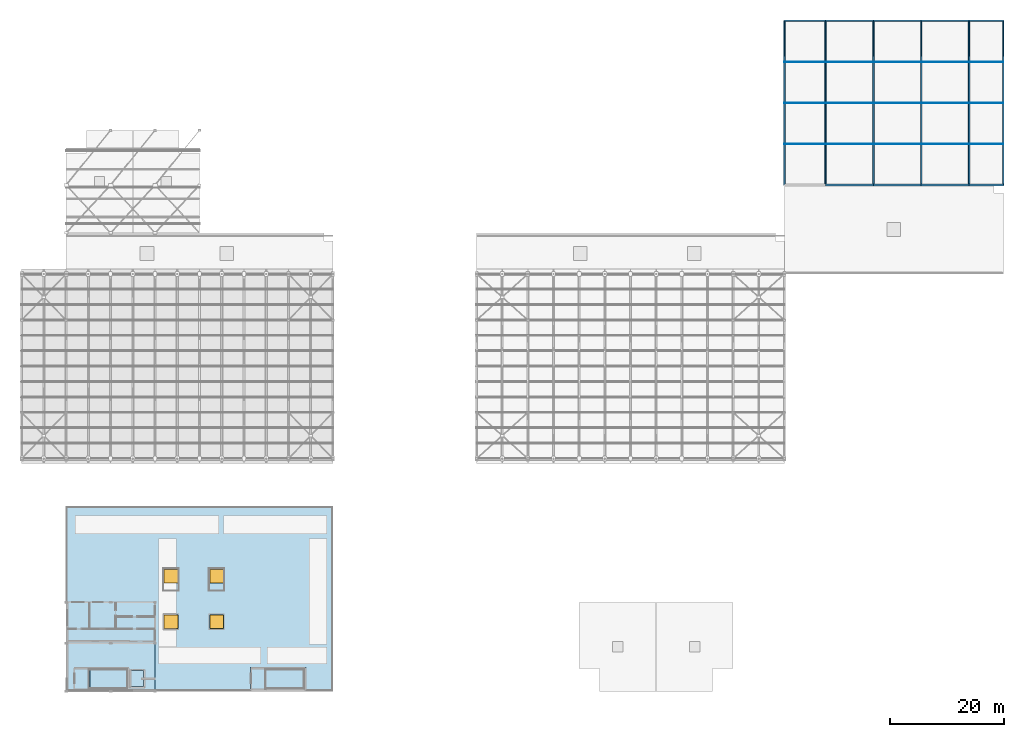
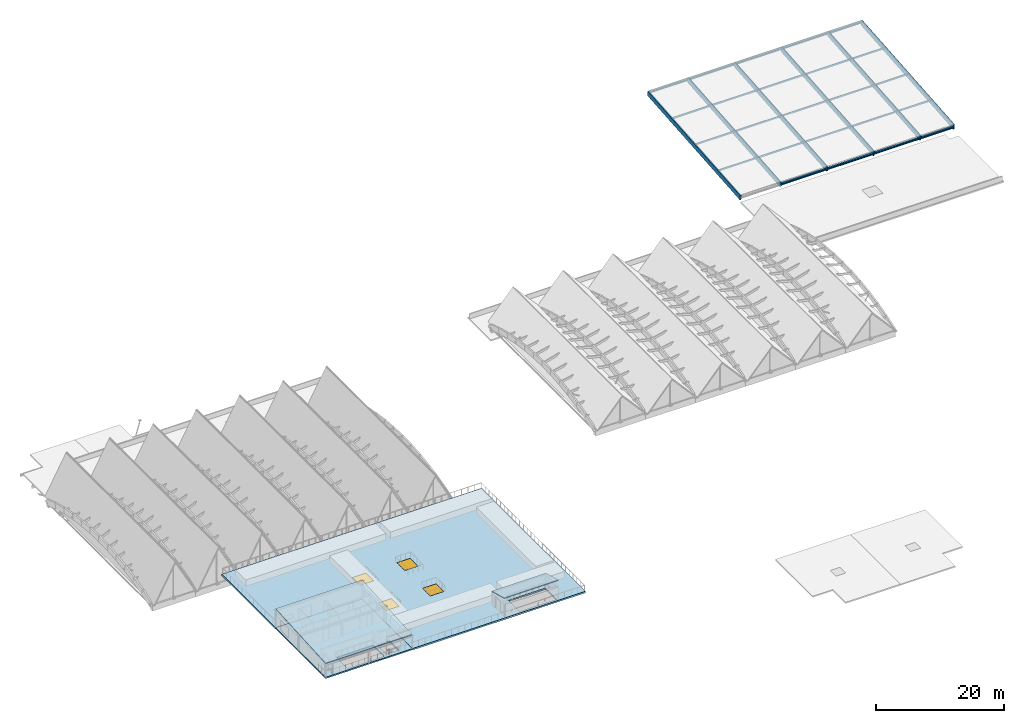
# One storey, part 28 of 39: 21 members, 9 beams, 4 slabs, 4 windows, 4 openings.
"""IFC4 building model written with IfcOpenShell, lengths in metres."""

from ifc_helpers import new_model, si_unit, direction, frame, origin, origin_2d, place, context, subcontext, project, spatial, polyline, rectangle, i_section, outline, extrude, material, layer, layer_set, material_profile, profile_set, type_object, element, fill, save


model = new_model("IFC4")

# Units and contexts
model_context = context("Model", 3, precision=1e-05, world=origin(), true_north=direction((0.0, 1.0)))
body_context = subcontext(model_context, "Body", "Model", "MODEL_VIEW")
ifc_project = project(units=[si_unit("LENGTHUNIT", "METRE"), si_unit("AREAUNIT", "SQUARE_METRE"), si_unit("VOLUMEUNIT", "CUBIC_METRE"), si_unit("PLANEANGLEUNIT", "RADIAN"), si_unit("MASSUNIT", "GRAM", prefix="KILO")], contexts=[model_context])

# Site, building, storey
site_placement = place(None, origin())
site = spatial("IfcSite", under=ifc_project, at=site_placement, CompositionType="ELEMENT")
building_placement = place(site_placement, origin())
building = spatial("IfcBuilding", under=site, at=building_placement, Name="Tizgana Railside Sports Hall", CompositionType="ELEMENT")
storey_placement = place(building_placement, frame((0.0, 0.0, 23.699951171875)))
storey = spatial("IfcBuildingStorey", under=building, at=storey_placement, Name="RF", CompositionType="ELEMENT", Elevation=23.699951171875)

# Members
ifc_material_1 = material(Name="Glulam GL32h", Category="wood")
ifc_material_profile_1 = material_profile(ifc_material_1, rectangle(XDim=0.239990234375, YDim=0.89990234375, at=origin_2d()), Name="GL 240x900")
ifc_profile_set_1 = profile_set([ifc_material_profile_1], Name="Glulam GL32h")
member_type_1 = type_object("IfcMemberType", Name="Glulam Arch Segment GL 240x900", PredefinedType="USERDEFINED", material=ifc_profile_set_1)
for number, where, z_axis, x_axis, name in (
    (1, (133.800048828125, 88.800048828125, -6.64990234375), (0.0, 0.996546049543, 0.083041984207), (-1.0, 0.0, 0.0), "RF V3 Climbing Rib MEM-0736"),
    (2, (141.0, 88.800048828125, -6.64990234375), (0.0, 0.996546049543, 0.083041984207), (-1.0, 0.0, 0.0), "RF V3 Climbing Rib MEM-0737"),
    (3, (149.39990234375, 88.800048828125, -6.64990234375), (0.0, 0.996546049543, 0.083041984207), (-1.0, 0.0, 0.0), "RF V3 Climbing Rib MEM-0738"),
    (4, (157.800048828125, 88.800048828125, -6.64990234375), (0.0, 0.996546049543, 0.083041984207), (-1.0, 0.0, 0.0), "RF V3 Climbing Rib MEM-0739"),
    (5, (166.199951171875, 88.800048828125, -6.64990234375), (0.0, 0.996546049543, 0.083041984207), (-1.0, 0.0, 0.0), "RF V3 Climbing Rib MEM-0740"),
    (6, (172.199951171875, 88.800048828125, -6.64990234375), (0.0, 0.996546049543, 0.083041984207), (-1.0, 0.0, 0.0), "RF V3 Climbing Rib MEM-0741"),
):
    element("IfcMember", number, at=place(storey_placement, frame(where, z_axis=z_axis, x_axis=x_axis)), inside=storey, type_object=member_type_1, Name=name, ObjectType="ARCH_SEGMENT", PredefinedType="USERDEFINED", context=body_context, shape_type="SweptSolid", body=[
        extrude(rectangle(XDim=0.239990234375, YDim=0.89990234375, at=origin_2d()), origin(), (0.0, 0.0, 1.0), 28.89990234375),
    ])
ifc_material_2 = material(Name="Glulam GL28h", Category="wood")
ifc_material_profile_2 = material_profile(ifc_material_2, rectangle(XDim=0.139892578125, YDim=0.320068359375, at=origin_2d()), Name="GL 140x320")
ifc_profile_set_2 = profile_set([ifc_material_profile_2], Name="Glulam GL28h")
member_type_2 = type_object("IfcMemberType", Name="Glulam Roof Purlin GL 140x320", PredefinedType="PURLIN", material=ifc_profile_set_2)
for number, where, z_axis, x_axis, name in (
    (7, (133.800048828125, 96.0, -5.89892578125), (1.0, 0.0, 0.0), (0.0, 1.0, 0.0), "RF V3 Purlin MEM-0742"),
    (8, (133.800048828125, 103.199951171875, -5.299072265625), (1.0, 0.0, 0.0), (0.0, 1.0, 0.0), "RF V3 Purlin MEM-0743"),
    (9, (133.800048828125, 110.39990234375, -4.698974609375), (1.0, 0.0, 0.0), (0.0, 1.0, 0.0), "RF V3 Purlin MEM-0744"),
):
    element("IfcMember", number, at=place(storey_placement, frame(where, z_axis=z_axis, x_axis=x_axis)), inside=storey, type_object=member_type_2, Name=name, PredefinedType="PURLIN", context=body_context, shape_type="SweptSolid", body=[
        extrude(rectangle(XDim=0.139892578125, YDim=0.320068359375, at=origin_2d()), origin(), (0.0, 0.0, 1.0), 7.199951171875),
    ])
for number, where, z_axis, x_axis, name in (
    (10, (141.0, 96.0, -5.89892578125), (1.0, 0.0, 0.0), (0.0, 1.0, 0.0), "RF V3 Purlin MEM-0745"),
    (11, (141.0, 103.199951171875, -5.299072265625), (1.0, 0.0, 0.0), (0.0, 1.0, 0.0), "RF V3 Purlin MEM-0746"),
    (12, (141.0, 110.39990234375, -4.698974609375), (1.0, 0.0, 0.0), (0.0, 1.0, 0.0), "RF V3 Purlin MEM-0747"),
):
    element("IfcMember", number, at=place(storey_placement, frame(where, z_axis=z_axis, x_axis=x_axis)), inside=storey, type_object=member_type_2, Name=name, PredefinedType="PURLIN", context=body_context, shape_type="SweptSolid", body=[
        extrude(rectangle(XDim=0.139892578125, YDim=0.320068359375, at=origin_2d()), origin(), (0.0, 0.0, 1.0), 8.39990234375),
    ])
for number, where, z_axis, x_axis, name in (
    (13, (149.39990234375, 96.0, -5.89892578125), (1.0, 0.0, 0.0), (0.0, 1.0, 0.0), "RF V3 Purlin MEM-0748"),
    (14, (149.39990234375, 103.199951171875, -5.299072265625), (1.0, 0.0, 0.0), (0.0, 1.0, 0.0), "RF V3 Purlin MEM-0749"),
    (15, (149.39990234375, 110.39990234375, -4.698974609375), (1.0, 0.0, 0.0), (0.0, 1.0, 0.0), "RF V3 Purlin MEM-0750"),
):
    element("IfcMember", number, at=place(storey_placement, frame(where, z_axis=z_axis, x_axis=x_axis)), inside=storey, type_object=member_type_2, Name=name, PredefinedType="PURLIN", context=body_context, shape_type="SweptSolid", body=[
        extrude(rectangle(XDim=0.139892578125, YDim=0.320068359375, at=origin_2d()), origin(), (0.0, 0.0, 1.0), 8.400146484375),
    ])
for number, where, z_axis, x_axis, name in (
    (16, (157.800048828125, 96.0, -5.89892578125), (1.0, 0.0, 0.0), (0.0, 1.0, 0.0), "RF V3 Purlin MEM-0751"),
    (17, (157.800048828125, 103.199951171875, -5.299072265625), (1.0, 0.0, 0.0), (0.0, 1.0, 0.0), "RF V3 Purlin MEM-0752"),
    (18, (157.800048828125, 110.39990234375, -4.698974609375), (1.0, 0.0, 0.0), (0.0, 1.0, 0.0), "RF V3 Purlin MEM-0753"),
):
    element("IfcMember", number, at=place(storey_placement, frame(where, z_axis=z_axis, x_axis=x_axis)), inside=storey, type_object=member_type_2, Name=name, PredefinedType="PURLIN", context=body_context, shape_type="SweptSolid", body=[
        extrude(rectangle(XDim=0.139892578125, YDim=0.320068359375, at=origin_2d()), origin(), (0.0, 0.0, 1.0), 8.39990234375),
    ])
for number, where, z_axis, x_axis, name in (
    (19, (166.199951171875, 96.0, -5.89892578125), (1.0, 0.0, 0.0), (0.0, 1.0, 0.0), "RF V3 Purlin MEM-0754"),
    (20, (166.199951171875, 103.199951171875, -5.299072265625), (1.0, 0.0, 0.0), (0.0, 1.0, 0.0), "RF V3 Purlin MEM-0755"),
    (21, (166.199951171875, 110.39990234375, -4.698974609375), (1.0, 0.0, 0.0), (0.0, 1.0, 0.0), "RF V3 Purlin MEM-0756"),
):
    element("IfcMember", number, at=place(storey_placement, frame(where, z_axis=z_axis, x_axis=x_axis)), inside=storey, type_object=member_type_2, Name=name, PredefinedType="PURLIN", context=body_context, shape_type="SweptSolid", body=[
        extrude(rectangle(XDim=0.139892578125, YDim=0.320068359375, at=origin_2d()), origin(), (0.0, 0.0, 1.0), 6.0),
    ])

# Beams
ifc_material_3 = material(Name="Steel S355J2", Category="steel")
ifc_material_profile_3 = material_profile(ifc_material_3, i_section(OverallWidth=0.300048828125, OverallDepth=0.320068359375, WebThickness=0.011474609375, FlangeThickness=0.0205078125, FilletRadius=0.027099609375, at=origin_2d()), Name="HEB 320")
ifc_profile_set_3 = profile_set([ifc_material_profile_3], Name="Steel S355J2")
beam_type = type_object("IfcBeamType", Name="Steel Beam HEB 320", PredefinedType="BEAM", material=ifc_profile_set_3)
beam_placement = place(storey_placement, frame((133.800048828125, 117.60009765625, -4.10986328125), z_axis=(1.0, 0.0, 0.0), x_axis=(0.0, 1.0, 0.0)))
element("IfcBeam", 22, at=beam_placement, inside=storey, type_object=beam_type, Name="RF BEM-1236", PredefinedType="BEAM", context=body_context, shape_type="SweptSolid", body=[
    extrude(i_section(OverallWidth=0.300048828125, OverallDepth=0.320068359375, WebThickness=0.011474609375, FlangeThickness=0.0205078125, FilletRadius=0.027099609375, at=origin_2d()), origin(), (0.0, 0.0, 1.0), 7.199951171875),
])
for number, where, z_axis, x_axis, name in (
    (23, (141.0, 88.800048828125, -6.60986328125), (1.0, 0.0, 0.0), (0.0, 1.0, 0.0), "RF BEM-1237"),
    (24, (141.0, 117.60009765625, -4.10986328125), (1.0, 0.0, 0.0), (0.0, 1.0, 0.0), "RF BEM-1238"),
):
    element("IfcBeam", number, at=place(storey_placement, frame(where, z_axis=z_axis, x_axis=x_axis)), inside=storey, type_object=beam_type, Name=name, PredefinedType="BEAM", context=body_context, shape_type="SweptSolid", body=[
        extrude(i_section(OverallWidth=0.300048828125, OverallDepth=0.320068359375, WebThickness=0.011474609375, FlangeThickness=0.0205078125, FilletRadius=0.027099609375, at=origin_2d()), origin(), (0.0, 0.0, 1.0), 8.39990234375),
    ])
for number, where, z_axis, x_axis, name in (
    (25, (149.39990234375, 88.800048828125, -6.60986328125), (1.0, 0.0, 0.0), (0.0, 1.0, 0.0), "RF BEM-1239"),
    (26, (149.39990234375, 117.60009765625, -4.10986328125), (1.0, 0.0, 0.0), (0.0, 1.0, 0.0), "RF BEM-1240"),
):
    element("IfcBeam", number, at=place(storey_placement, frame(where, z_axis=z_axis, x_axis=x_axis)), inside=storey, type_object=beam_type, Name=name, PredefinedType="BEAM", context=body_context, shape_type="SweptSolid", body=[
        extrude(i_section(OverallWidth=0.300048828125, OverallDepth=0.320068359375, WebThickness=0.011474609375, FlangeThickness=0.0205078125, FilletRadius=0.027099609375, at=origin_2d()), origin(), (0.0, 0.0, 1.0), 8.400146484375),
    ])
for number, where, z_axis, x_axis, name in (
    (27, (157.800048828125, 88.800048828125, -6.60986328125), (1.0, 0.0, 0.0), (0.0, 1.0, 0.0), "RF BEM-1241"),
    (28, (157.800048828125, 117.60009765625, -4.10986328125), (1.0, 0.0, 0.0), (0.0, 1.0, 0.0), "RF BEM-1242"),
):
    element("IfcBeam", number, at=place(storey_placement, frame(where, z_axis=z_axis, x_axis=x_axis)), inside=storey, type_object=beam_type, Name=name, PredefinedType="BEAM", context=body_context, shape_type="SweptSolid", body=[
        extrude(i_section(OverallWidth=0.300048828125, OverallDepth=0.320068359375, WebThickness=0.011474609375, FlangeThickness=0.0205078125, FilletRadius=0.027099609375, at=origin_2d()), origin(), (0.0, 0.0, 1.0), 8.39990234375),
    ])
for number, where, z_axis, x_axis, name in (
    (29, (166.199951171875, 88.800048828125, -6.60986328125), (1.0, 0.0, 0.0), (0.0, 1.0, 0.0), "RF BEM-1243"),
    (30, (166.199951171875, 117.60009765625, -4.10986328125), (1.0, 0.0, 0.0), (0.0, 1.0, 0.0), "RF BEM-1244"),
):
    element("IfcBeam", number, at=place(storey_placement, frame(where, z_axis=z_axis, x_axis=x_axis)), inside=storey, type_object=beam_type, Name=name, PredefinedType="BEAM", context=body_context, shape_type="SweptSolid", body=[
        extrude(i_section(OverallWidth=0.300048828125, OverallDepth=0.320068359375, WebThickness=0.011474609375, FlangeThickness=0.0205078125, FilletRadius=0.027099609375, at=origin_2d()), origin(), (0.0, 0.0, 1.0), 6.0),
    ])

# Slabs
ifc_material_4 = material(Name="Cross-laminated timber CL24h", Category="wood")
ifc_layer_1 = layer(ifc_material_4, 0.159912109375, Name="Cross-laminated timber CL24h")
ifc_layer_set_1 = layer_set([ifc_layer_1], Name="Cross-laminated timber CL24h")
slab_type_1 = type_object("IfcSlabType", Name="Pitched CLT Vault Roof Panel 160", PredefinedType="ROOF", material=ifc_layer_set_1)
slab_1_placement = place(storey_placement, frame((7.800048828125, 0.0, 2.699951171875), z_axis=(0.0, -0.06079690151, 0.998150157425), x_axis=(1.0, 0.0, 0.0)))
element("IfcSlab", 31, at=slab_1_placement, inside=storey, type_object=slab_type_1, Name="RF Track Pavilion Roof SLB-0045", PredefinedType="ROOF", context=body_context, shape_type="SweptSolid", body=[
    extrude(outline(polyline([(0.0, 0.0), (15.599853515625, 0.0), (15.599853515625, 15.62900886225463), (0.0, 15.62900886225463), (0.0, 0.0)])), origin(), (0.0, 0.0, -1.0), 0.159912109375),
])
slab_2_placement = place(storey_placement, frame((40.10009765625, 0.25, 3.650146484375), z_axis=(0.0, 0.261481477777, 0.965208493943), x_axis=(1.0, 0.0, 0.0)))
element("IfcSlab", 32, at=slab_2_placement, inside=storey, type_object=slab_type_1, Name="RF C2 Headhouse Roof SLB-0046", PredefinedType="ROOF", context=body_context, shape_type="SweptSolid", body=[
    extrude(outline(polyline([(0.0, 0.0), (9.7998046875, 0.0), (9.7998046875, 4.092329477685318), (0.0, 4.092329477685318), (0.0, 0.0)])), origin(), (0.0, 0.0, -1.0), 0.159912109375),
])

# Slab, openings, windows
ifc_material_5 = material(Name="Concrete C35/45", Category="concrete")
ifc_layer_2 = layer(ifc_material_5, 0.300048828125, Name="Concrete C35/45")
ifc_layer_set_2 = layer_set([ifc_layer_2], Name="Concrete C35/45")
slab_type_2 = type_object("IfcSlabType", Name="Rooftop Running Track Deck 300", PredefinedType="ROOF", material=ifc_layer_set_2)
slab_3_placement = place(storey_placement, frame((0.0, 0.0, -0.300048828125)))
slab_3 = element("IfcSlab", 33, at=slab_3_placement, inside=storey, type_object=slab_type_2, Name="RF RF Running Track Deck SLB-0041", PredefinedType="ROOF", context=body_context, shape_type="SweptSolid", body=[
    extrude(outline(polyline([(23.39990234375, 0.0), (54.60009765625, 0.0), (54.60009765625, 32.39990234375), (7.800048828125, 32.39990234375), (7.800048828125, 15.60009765625), (23.39990234375, 15.60009765625), (23.39990234375, 0.0)]), holes=[polyline([(42.97998046875, 0.39990234375), (49.60009765625, 0.39990234375), (49.60009765625, 3.89990234375), (42.97998046875, 3.89990234375), (42.97998046875, 0.39990234375)]), polyline([(25.0, 11.0), (27.39990234375, 11.0), (27.39990234375, 13.39990234375), (25.0, 13.39990234375), (25.0, 11.0)]), polyline([(33.0, 11.0), (35.39990234375, 11.0), (35.39990234375, 13.39990234375), (33.0, 13.39990234375), (33.0, 11.0)]), polyline([(25.0, 19.0), (27.39990234375, 19.0), (27.39990234375, 21.39990234375), (25.0, 21.39990234375), (25.0, 19.0)]), polyline([(33.0, 19.0), (35.39990234375, 19.0), (35.39990234375, 21.39990234375), (33.0, 21.39990234375), (33.0, 19.0)])]), origin(), (0.0, 0.0, 1.0), 0.300048828125),
])
opening_1_placement = place(slab_3_placement, frame((26.199951171875, 12.199951171875, 0.0)))
opening_1 = element("IfcOpeningElement", 34, at=opening_1_placement, cuts=slab_3, Name="Opening W-0100", PredefinedType="OPENING", context=body_context, shape_type="SweptSolid", body=[
    extrude(rectangle(XDim=2.39990234375, YDim=2.39990234375, at=origin_2d()), origin(), (0.0, 0.0, 1.0), 0.300048828125),
])
opening_2_placement = place(slab_3_placement, frame((34.199951171875, 12.199951171875, 0.0)))
opening_2 = element("IfcOpeningElement", 35, at=opening_2_placement, cuts=slab_3, Name="Opening W-0101", PredefinedType="OPENING", context=body_context, shape_type="SweptSolid", body=[
    extrude(rectangle(XDim=2.39990234375, YDim=2.39990234375, at=origin_2d()), origin(), (0.0, 0.0, 1.0), 0.300048828125),
])
opening_3_placement = place(slab_3_placement, frame((26.199951171875, 20.199951171875, 0.0)))
opening_3 = element("IfcOpeningElement", 36, at=opening_3_placement, cuts=slab_3, Name="Opening W-0102", PredefinedType="OPENING", context=body_context, shape_type="SweptSolid", body=[
    extrude(rectangle(XDim=2.39990234375, YDim=2.39990234375, at=origin_2d()), origin(), (0.0, 0.0, 1.0), 0.300048828125),
])
opening_4_placement = place(slab_3_placement, frame((34.199951171875, 20.199951171875, 0.0)))
opening_4 = element("IfcOpeningElement", 37, at=opening_4_placement, cuts=slab_3, Name="Opening W-0103", PredefinedType="OPENING", context=body_context, shape_type="SweptSolid", body=[
    extrude(rectangle(XDim=2.39990234375, YDim=2.39990234375, at=origin_2d()), origin(), (0.0, 0.0, 1.0), 0.300048828125),
])
ifc_material_6 = material(Name="Double low-E laminated glass", Category="glass")
window_type = type_object("IfcWindowType", Name="Automated Smoke Skylight 2400x2400", PartitioningType="SINGLE_PANEL", PredefinedType="SKYLIGHT", material=ifc_material_6)
window_1_placement = place(opening_1_placement, frame((0.0, 0.0, 0.25)))
window_1 = element("IfcWindow", 38, at=window_1_placement, inside=storey, type_object=window_type, Name="RF Smoke Skylight W-0100", OverallHeight=2.39990234375, OverallWidth=2.39990234375, PartitioningType="SINGLE_PANEL", PredefinedType="SKYLIGHT", context=body_context, shape_type="SweptSolid", body=[
    extrude(rectangle(XDim=2.39990234375, YDim=2.39990234375, at=origin_2d()), origin(), (0.0, 0.0, 1.0), 0.050048828125),
])
fill(opening_1, window_1)
window_2_placement = place(opening_2_placement, frame((0.0, 0.0, 0.25)))
window_2 = element("IfcWindow", 39, at=window_2_placement, inside=storey, type_object=window_type, Name="RF Smoke Skylight W-0101", OverallHeight=2.39990234375, OverallWidth=2.39990234375, PartitioningType="SINGLE_PANEL", PredefinedType="SKYLIGHT", context=body_context, shape_type="SweptSolid", body=[
    extrude(rectangle(XDim=2.39990234375, YDim=2.39990234375, at=origin_2d()), origin(), (0.0, 0.0, 1.0), 0.050048828125),
])
fill(opening_2, window_2)
window_3_placement = place(opening_3_placement, frame((0.0, 0.0, 0.25)))
window_3 = element("IfcWindow", 40, at=window_3_placement, inside=storey, type_object=window_type, Name="RF Smoke Skylight W-0102", OverallHeight=2.39990234375, OverallWidth=2.39990234375, PartitioningType="SINGLE_PANEL", PredefinedType="SKYLIGHT", context=body_context, shape_type="SweptSolid", body=[
    extrude(rectangle(XDim=2.39990234375, YDim=2.39990234375, at=origin_2d()), origin(), (0.0, 0.0, 1.0), 0.050048828125),
])
fill(opening_3, window_3)
window_4_placement = place(opening_4_placement, frame((0.0, 0.0, 0.25)))
window_4 = element("IfcWindow", 41, at=window_4_placement, inside=storey, type_object=window_type, Name="RF Smoke Skylight W-0103", OverallHeight=2.39990234375, OverallWidth=2.39990234375, PartitioningType="SINGLE_PANEL", PredefinedType="SKYLIGHT", context=body_context, shape_type="SweptSolid", body=[
    extrude(rectangle(XDim=2.39990234375, YDim=2.39990234375, at=origin_2d()), origin(), (0.0, 0.0, 1.0), 0.050048828125),
])
fill(opening_4, window_4)

# Slab
ifc_layer_3 = layer(ifc_material_5, 0.25, Name="Concrete C35/45")
ifc_layer_set_3 = layer_set([ifc_layer_3], Name="Concrete C35/45")
slab_type_3 = type_object("IfcSlabType", Name="Suspended Clinic Floor Slab 250", PredefinedType="FLOOR", material=ifc_layer_set_3)
slab_4_placement = place(storey_placement, frame((0.0, 0.0, -0.25)))
element("IfcSlab", 42, at=slab_4_placement, inside=storey, type_object=slab_type_3, Name="RF RF Track Pavilion Floor SLB-0040", PredefinedType="FLOOR", context=body_context, shape_type="SweptSolid", body=[
    extrude(outline(polyline([(7.800048828125, 0.0), (23.39990234375, 0.0), (23.39990234375, 15.60009765625), (7.800048828125, 15.60009765625), (7.800048828125, 0.0)]), holes=[polyline([(11.97998046875, 0.39990234375), (18.60009765625, 0.39990234375), (18.60009765625, 3.89990234375), (11.97998046875, 3.89990234375), (11.97998046875, 0.39990234375)]), polyline([(19.199951171875, 0.800048828125), (21.39990234375, 0.800048828125), (21.39990234375, 3.60009765625), (19.199951171875, 3.60009765625), (19.199951171875, 0.800048828125)])]), origin(), (0.0, 0.0, 1.0), 0.25),
])

save(model, "model.ifc")
